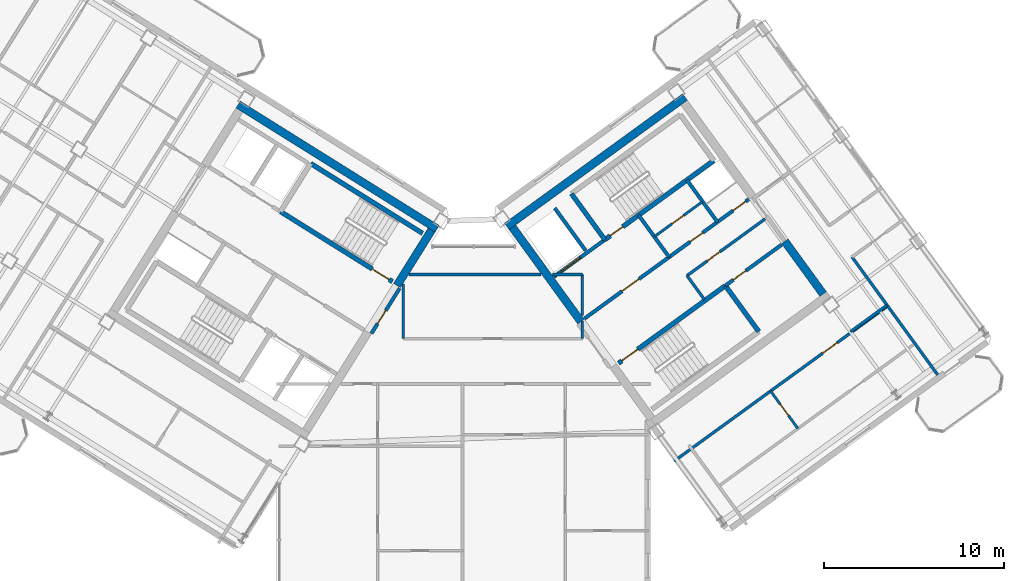
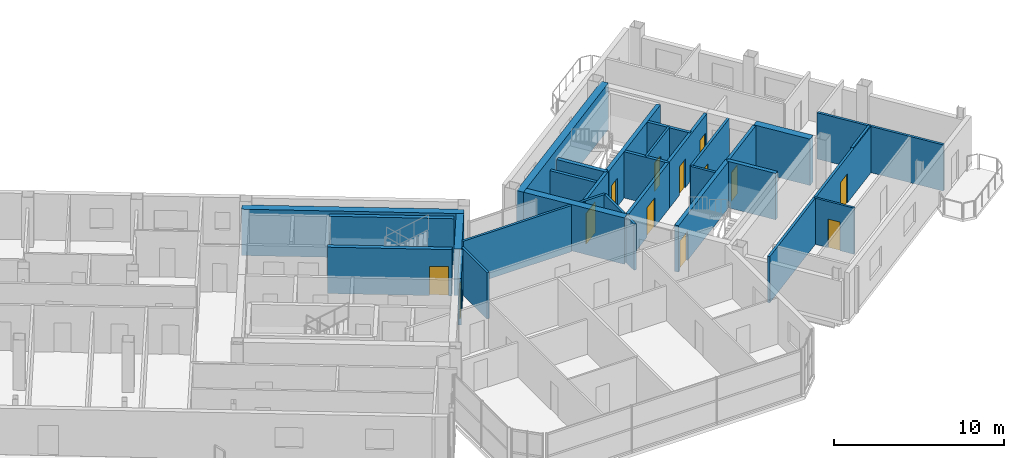
# One storey, part 19 of 25: 31 walls, 13 doors, 13 openings.
"""IFC4 building model written with IfcOpenShell, lengths in metres."""

from ifc_helpers import new_model, si_unit, direction, frame, frame_2d, origin, place, context, subcontext, project, spatial, rectangle, extrude, source, transform, mapped, material, layer, layer_set, type_object, element, fill, save


model = new_model("IFC4")

# Units and contexts
model_context = context("Model", 3, precision=1e-05, world=origin(), true_north=direction((0.0, 1.0)))
body_context = subcontext(model_context, "Body", "Model", "MODEL_VIEW")
ifc_project = project(units=[si_unit("LENGTHUNIT", "METRE"), si_unit("AREAUNIT", "SQUARE_METRE"), si_unit("VOLUMEUNIT", "CUBIC_METRE"), si_unit("PLANEANGLEUNIT", "RADIAN"), si_unit("MASSUNIT", "GRAM", prefix="KILO")], contexts=[model_context])

# Site, building, storey
site_placement = place(None, origin())
site = spatial("IfcSite", under=ifc_project, at=site_placement, CompositionType="ELEMENT")
building_placement = place(site_placement, origin())
building = spatial("IfcBuilding", under=site, at=building_placement, Name="Tlacorven Tower", CompositionType="ELEMENT")
storey_placement = place(building_placement, frame((0.0, 0.0, 251.10009765625)))
storey = spatial("IfcBuildingStorey", under=building, at=storey_placement, Name="L63", CompositionType="ELEMENT", Elevation=251.10009765625)

# Walls
ifc_material_1 = material(Name="Concrete C50/60", Category="concrete")
ifc_layer_1 = layer(ifc_material_1, 0.449951171875)
ifc_layer_set_1 = layer_set([ifc_layer_1], Name="Concrete C50/60")
wall_type_1 = type_object("IfcWallType", Name="WL-COR-450", PredefinedType="SHEAR", material=ifc_layer_set_1)
wall_1_placement = place(storey_placement, frame((40.53076171875, 24.036376953125, 0.0), z_axis=(0.0, 0.0, 1.0), x_axis=(-0.848048787466, 0.529918157905, 0.0)))
element("IfcWall", 1, at=wall_1_placement, inside=storey, type_object=wall_type_1, Name="L63 W core shear wall S1", PredefinedType="SHEAR", context=body_context, shape_type="SweptSolid", body=[
    extrude(rectangle(XDim=13.0400390625, YDim=0.449951171875, at=frame_2d((6.52001953125, 0.0))), origin(), (0.0, 0.0, 1.0), 3.31982421875),
])
wall_2_placement = place(storey_placement, frame((40.220703125, 23.96484375, 0.0), z_axis=(0.0, 0.0, 1.0), x_axis=(-0.529902075036, -0.848058836916, 0.0)))
element("IfcWall", 2, at=wall_2_placement, inside=storey, type_object=wall_type_1, Name="L63 W core end wall E1.1", PredefinedType="SHEAR", context=body_context, shape_type="SweptSolid", body=[
    extrude(rectangle(XDim=3.625, YDim=0.449951171875, at=frame_2d((1.8125, 0.0))), origin(), (0.0, 0.0, 1.0), 3.31982421875),
])
wall_3_placement = place(storey_placement, frame((44.405517578125, 24.171630859375, 0.0), z_axis=(0.0, 0.0, 1.0), x_axis=(0.809012867805, 0.587790931986, 0.0)))
element("IfcWall", 3, at=wall_3_placement, inside=storey, type_object=wall_type_1, Name="L63 E core shear wall S2", PredefinedType="SHEAR", context=body_context, shape_type="SweptSolid", body=[
    extrude(rectangle(XDim=12.239990234375, YDim=0.449951171875, at=frame_2d((6.1201171875, 0.0))), origin(), (0.0, 0.0, 1.0), 3.31982421875),
])
wall_4_placement = place(storey_placement, frame((48.525634765625, 18.883544921875, 0.0), z_axis=(0.0, 0.0, 1.0), x_axis=(-0.587774812919, 0.809024578921, 0.0)))
element("IfcWall", 4, at=wall_4_placement, inside=storey, type_object=wall_type_1, Name="L63 E core end wall E1.2", PredefinedType="SHEAR", context=body_context, shape_type="SweptSolid", body=[
    extrude(rectangle(XDim=6.47509765625, YDim=0.449951171875, at=frame_2d((3.237548828125, 0.0))), origin(), (0.0, 0.0, 1.0), 3.31982421875),
])
wall_5_placement = place(storey_placement, frame((61.987548828125, 20.413330078125, 0.0), z_axis=(0.0, 0.0, 1.0), x_axis=(-0.587819244441, 0.808992296542, 0.0)))
element("IfcWall", 5, at=wall_5_placement, inside=storey, type_object=wall_type_1, Name="L63 E core end wall E2.1", PredefinedType="SHEAR", context=body_context, shape_type="SweptSolid", body=[
    extrude(rectangle(XDim=3.625, YDim=0.449951171875, at=frame_2d((1.8125, 0.0))), origin(), (0.0, 0.0, 1.0), 3.31982421875),
])

# Wall, opening, door
ifc_material_2 = material(Name="Gypsum plasterboard acoustic partition", Category="gypsum")
ifc_layer_2 = layer(ifc_material_2, 0.159912109375)
ifc_layer_set_2 = layer_set([ifc_layer_2], Name="Gypsum plasterboard acoustic partition")
wall_type_2 = type_object("IfcWallType", Name="WL-DEM-160", PredefinedType="PARTITIONING", material=ifc_layer_set_2)
wall_6_placement = place(storey_placement, frame((54.421142578125, 21.436279296875, 0.0), z_axis=(0.0, 0.0, 1.0), x_axis=(0.809013710463, 0.587789772183, 0.0)))
wall_6 = element("IfcWall", 6, at=wall_6_placement, inside=storey, type_object=wall_type_2, Name="L63 partition 28", PredefinedType="PARTITIONING", context=body_context, shape_type="SweptSolid", body=[
    extrude(rectangle(XDim=5.360107421875, YDim=0.159912109375, at=frame_2d((2.68017578125, 0.0))), origin(), (0.0, 0.0, 1.0), 3.309814453125),
])
opening_1_placement = place(wall_6_placement, frame((1.39990234375, 0.0, 0.0)))
opening_1 = element("IfcOpeningElement", 7, at=opening_1_placement, cuts=wall_6, Name="Opening D19", PredefinedType="OPENING", context=body_context, shape_type="SweptSolid", body=[
    extrude(rectangle(XDim=0.860107421875, YDim=2.050048828125, at=frame_2d((0.43017578125, 1.02490234375))), frame((0.0, 0.08984375, 0.0), z_axis=(0.0, -1.0, 0.0), x_axis=(1.0, 0.0, 0.0)), (0.0, 0.0, 1.0), 0.179931640625),
])
ifc_material_3 = material(Name="Fire-rated steel door assembly", Category="steel")
door_type_1 = type_object("IfcDoorType", Name="DR-RSR-FD60-0860", OperationType="NOTDEFINED", PredefinedType="DOOR", material=ifc_material_3)
shared_shape_1 = source(origin(), body_context, "Body", "SweptSolid", [
    extrude(rectangle(XDim=0.860107421875, YDim=2.050048828125, at=frame_2d((0.43017578125, 1.02490234375))), frame((0.0, 0.02490234375, 0.0), z_axis=(0.0, -1.0, 0.0), x_axis=(1.0, 0.0, 0.0)), (0.0, 0.0, 1.0), 0.050048828125),
])
door_1_placement = place(opening_1_placement, origin())
door_1 = element("IfcDoor", 8, at=door_1_placement, inside=storey, type_object=door_type_1, Name="L63 Freed Core Store Door", OperationType="SINGLE_SWING_LEFT", OverallHeight=2.050048828125, OverallWidth=0.860107421875, PredefinedType="DOOR", context=body_context, shape_type="MappedRepresentation", body=[
    mapped(shared_shape_1, transform((0.0, 0.0, 0.0), scale=1.0)),
])
fill(opening_1, door_1)

# Walls
wall_7_placement = place(storey_placement, frame((55.390869140625, 20.1015625, 0.0), z_axis=(0.0, 0.0, 1.0), x_axis=(-0.58778447739, 0.809017557374, 0.0)))
element("IfcWall", 9, at=wall_7_placement, inside=storey, type_object=wall_type_2, Name="L63 partition 29", PredefinedType="PARTITIONING", context=body_context, shape_type="SweptSolid", body=[
    extrude(rectangle(XDim=1.64990234375, YDim=0.159912109375, at=frame_2d((0.824951171875, 0.0))), origin(), (0.0, 0.0, 1.0), 3.309814453125),
])
wall_8_placement = place(storey_placement, frame((38.64990234375, 17.929931640625, 0.0), z_axis=(0.0, 0.0, 1.0), x_axis=(0.0, 1.0, 0.0)))
element("IfcWall", 10, at=wall_8_placement, inside=storey, type_object=wall_type_2, Name="L63 partition 64", PredefinedType="PARTITIONING", context=body_context, shape_type="SweptSolid", body=[
    extrude(rectangle(XDim=3.045654296875, YDim=0.159912109375, at=frame_2d((1.52294921875, 0.0))), origin(), (0.0, 0.0, 1.0), 3.309814453125),
])
wall_9_placement = place(storey_placement, frame((48.60009765625, 17.929931640625, 0.0), z_axis=(0.0, 0.0, 1.0), x_axis=(0.0, 1.0, 0.0)))
element("IfcWall", 11, at=wall_9_placement, inside=storey, type_object=wall_type_2, Name="L63 partition 65", PredefinedType="PARTITIONING", context=body_context, shape_type="SweptSolid", body=[
    extrude(rectangle(XDim=0.99267578125, YDim=0.159912109375, at=frame_2d((0.496337890625, 0.0))), origin(), (0.0, 0.0, 1.0), 3.309814453125),
])
wall_10_placement = place(storey_placement, frame((48.60009765625, 19.2099609375, 0.0), z_axis=(0.0, 0.0, 1.0), x_axis=(0.0, 1.0, 0.0)))
element("IfcWall", 12, at=wall_10_placement, inside=storey, type_object=wall_type_2, Name="L63 partition 65", PredefinedType="PARTITIONING", context=body_context, shape_type="SweptSolid", body=[
    extrude(rectangle(XDim=2.2900390625, YDim=0.159912109375, at=frame_2d((1.14501953125, 0.0))), origin(), (0.0, 0.0, 1.0), 3.309814453125),
])
wall_11_placement = place(storey_placement, frame((38.9775390625, 21.5, 0.0), z_axis=(0.0, 0.0, 1.0), x_axis=(1.0, 0.0, 0.0)))
element("IfcWall", 13, at=wall_11_placement, inside=storey, type_object=wall_type_2, Name="L63 partition 66", PredefinedType="PARTITIONING", context=body_context, shape_type="SweptSolid", body=[
    extrude(rectangle(XDim=7.335693359375, YDim=0.159912109375, at=frame_2d((3.66796875, 0.0))), origin(), (0.0, 0.0, 1.0), 3.309814453125),
])
wall_12_placement = place(storey_placement, frame((46.936279296875, 21.5, 0.0), z_axis=(0.0, 0.0, 1.0), x_axis=(1.0, 0.0, 0.0)))
element("IfcWall", 14, at=wall_12_placement, inside=storey, type_object=wall_type_2, Name="L63 partition 66", PredefinedType="PARTITIONING", context=body_context, shape_type="SweptSolid", body=[
    extrude(rectangle(XDim=1.663818359375, YDim=0.159912109375, at=frame_2d((0.83203125, 0.0))), origin(), (0.0, 0.0, 1.0), 3.309814453125),
])
wall_13_placement = place(storey_placement, frame((63.5068359375, 18.322021484375, 0.0), z_axis=(0.0, 0.0, 1.0), x_axis=(0.809034604122, 0.587761013791, 0.0)))
element("IfcWall", 15, at=wall_13_placement, inside=storey, type_object=wall_type_2, Name="L63 partition 78", PredefinedType="PARTITIONING", context=body_context, shape_type="SweptSolid", body=[
    extrude(rectangle(XDim=2.510009765625, YDim=0.159912109375, at=frame_2d((1.2548828125, 0.0))), origin(), (0.0, 0.0, 1.0), 3.309814453125),
])
wall_14_placement = place(storey_placement, frame((68.35302734375, 15.922119140625, 0.0), z_axis=(0.0, 0.0, 1.0), x_axis=(-0.58776839458, 0.809029241952, 0.0)))
element("IfcWall", 16, at=wall_14_placement, inside=storey, type_object=wall_type_2, Name="L63 partition 80", PredefinedType="PARTITIONING", context=body_context, shape_type="SweptSolid", body=[
    extrude(rectangle(XDim=8.10009765625, YDim=0.159912109375, at=frame_2d((4.050048828125, 0.0))), origin(), (0.0, 0.0, 1.0), 3.309814453125),
])

# Wall, opening, door
wall_15_placement = place(storey_placement, frame((53.70458984375, 11.1259765625, 0.0), z_axis=(0.0, 0.0, 1.0), x_axis=(0.809014504436, 0.587788679384, 0.0)))
wall_15 = element("IfcWall", 17, at=wall_15_placement, inside=storey, type_object=wall_type_2, Name="L63 partition 86", PredefinedType="PARTITIONING", context=body_context, shape_type="SweptSolid", body=[
    extrude(rectangle(XDim=14.669921875, YDim=0.159912109375, at=frame_2d((7.3349609375, 0.0))), origin(), (0.0, 0.0, 1.0), 3.309814453125),
])
opening_2_placement = place(wall_15_placement, frame((10.199951171875, 0.0, 0.0)))
opening_2 = element("IfcOpeningElement", 18, at=opening_2_placement, cuts=wall_15, Name="Opening D11", PredefinedType="OPENING", context=body_context, shape_type="SweptSolid", body=[
    extrude(rectangle(XDim=1.0, YDim=2.10009765625, at=frame_2d((0.5, 1.050048828125))), frame((0.0, 0.08984375, 0.0), z_axis=(0.0, -1.0, 0.0), x_axis=(1.0, 0.0, 0.0)), (0.0, 0.0, 1.0), 0.179931640625),
])
door_type_2 = type_object("IfcDoorType", Name="DR-FLT-FD60-1000", OperationType="NOTDEFINED", PredefinedType="DOOR", material=ifc_material_3)
shared_shape_2 = source(origin(), body_context, "Body", "SweptSolid", [
    extrude(rectangle(XDim=1.0, YDim=2.10009765625, at=frame_2d((0.5, 1.050048828125))), frame((0.0, 0.02490234375, 0.0), z_axis=(0.0, -1.0, 0.0), x_axis=(1.0, 0.0, 0.0)), (0.0, 0.0, 1.0), 0.050048828125),
])
door_2_placement = place(opening_2_placement, origin())
door_2 = element("IfcDoor", 19, at=door_2_placement, inside=storey, type_object=door_type_2, Name="L63 door 058", OperationType="SINGLE_SWING_RIGHT", OverallHeight=2.10009765625, OverallWidth=1.0, PredefinedType="DOOR", context=body_context, shape_type="MappedRepresentation", body=[
    mapped(shared_shape_2, transform((0.0, 0.0, 0.0), scale=1.0)),
])
fill(opening_2, door_2)

ifc_material_4 = material(Name="Moisture-resistant gypsum plumbing wall", Category="gypsum")
ifc_layer_3 = layer(ifc_material_4, 0.139892578125)
ifc_layer_set_3 = layer_set([ifc_layer_3], Name="Moisture-resistant gypsum plumbing wall")
wall_type_3 = type_object("IfcWallType", Name="WL-PLM-140", PredefinedType="PLUMBINGWALL", material=ifc_layer_set_3)
wall_16_placement = place(storey_placement, frame((52.617919921875, 23.612060546875, 0.0), z_axis=(0.0, 0.0, 1.0), x_axis=(0.809009587469, 0.587795446889, 0.0)))
wall_16 = element("IfcWall", 20, at=wall_16_placement, inside=storey, type_object=wall_type_3, Name="L63 partition 34", PredefinedType="PLUMBINGWALL", context=body_context, shape_type="SweptSolid", body=[
    extrude(rectangle(XDim=3.280029296875, YDim=0.139892578125, at=frame_2d((1.64013671875, 0.0))), origin(), (0.0, 0.0, 1.0), 3.309814453125),
])
opening_3_placement = place(wall_16_placement, frame((1.199951171875, 0.0, 0.0)))
opening_3 = element("IfcOpeningElement", 21, at=opening_3_placement, cuts=wall_16, Name="Opening D22", PredefinedType="OPENING", context=body_context, shape_type="SweptSolid", body=[
    extrude(rectangle(XDim=0.780029296875, YDim=2.050048828125, at=frame_2d((0.39013671875, 1.02490234375))), frame((0.0, 0.080078125, 0.0), z_axis=(0.0, -1.0, 0.0), x_axis=(1.0, 0.0, 0.0)), (0.0, 0.0, 1.0), 0.159912109375),
])
ifc_material_5 = material(Name="Powder-coated aluminium and timber door", Category="wood")
door_type_3 = type_object("IfcDoorType", Name="DR-INT-WET-0780", OperationType="NOTDEFINED", PredefinedType="DOOR", material=ifc_material_5)
shared_shape_3 = source(origin(), body_context, "Body", "SweptSolid", [
    extrude(rectangle(XDim=0.780029296875, YDim=2.050048828125, at=frame_2d((0.39013671875, 1.02490234375))), frame((0.0, 0.02490234375, 0.0), z_axis=(0.0, -1.0, 0.0), x_axis=(1.0, 0.0, 0.0)), (0.0, 0.0, 1.0), 0.050048828125),
])
door_3_placement = place(opening_3_placement, origin())
door_3 = element("IfcDoor", 22, at=door_3_placement, inside=storey, type_object=door_type_3, Name="L63 door 018", OperationType="SINGLE_SWING_LEFT", OverallHeight=2.050048828125, OverallWidth=0.780029296875, PredefinedType="DOOR", context=body_context, shape_type="MappedRepresentation", body=[
    mapped(shared_shape_3, transform((0.0, 0.0, 0.0), scale=1.0)),
])
fill(opening_3, door_3)

wall_17_placement = place(storey_placement, frame((60.584716796875, 12.935791015625, 0.0), z_axis=(0.0, 0.0, 1.0), x_axis=(-0.587772116736, 0.809026537752, 0.0)))
wall_17 = element("IfcWall", 23, at=wall_17_placement, inside=storey, type_object=wall_type_3, Name="L63 partition 89", PredefinedType="PLUMBINGWALL", context=body_context, shape_type="SweptSolid", body=[
    extrude(rectangle(XDim=2.579833984375, YDim=0.139892578125, at=frame_2d((1.2900390625, 0.0))), origin(), (0.0, 0.0, 1.0), 3.309814453125),
])
opening_4_placement = place(wall_17_placement, frame((0.89990234375, 0.0, 0.0)))
opening_4 = element("IfcOpeningElement", 24, at=opening_4_placement, cuts=wall_17, Name="Opening D22", PredefinedType="OPENING", context=body_context, shape_type="SweptSolid", body=[
    extrude(rectangle(XDim=0.780029296875, YDim=2.050048828125, at=frame_2d((0.39013671875, 1.02490234375))), frame((0.0, 0.080078125, 0.0), z_axis=(0.0, -1.0, 0.0), x_axis=(1.0, 0.0, 0.0)), (0.0, 0.0, 1.0), 0.159912109375),
])
door_4_placement = place(opening_4_placement, origin())
door_4 = element("IfcDoor", 25, at=door_4_placement, inside=storey, type_object=door_type_3, Name="L63 door 060", OperationType="SINGLE_SWING_RIGHT", OverallHeight=2.050048828125, OverallWidth=0.780029296875, PredefinedType="DOOR", context=body_context, shape_type="MappedRepresentation", body=[
    mapped(shared_shape_3, transform((0.0, 0.0, 0.0), scale=1.0)),
])
fill(opening_4, door_4)

ifc_material_6 = material(Name="Concrete C40/50", Category="concrete")
ifc_layer_4 = layer(ifc_material_6, 0.199951171875)
ifc_layer_set_4 = layer_set([ifc_layer_4], Name="Concrete C40/50")
wall_type_4 = type_object("IfcWallType", Name="WL-SHF-200", PredefinedType="STANDARD", material=ifc_layer_set_4)
wall_18_placement = place(storey_placement, frame((47.02490234375, 21.3779296875, 0.0), z_axis=(0.0, 0.0, 1.0), x_axis=(0.809052869724, 0.587735870941, 0.0)))
wall_18 = element("IfcWall", 26, at=wall_18_placement, inside=storey, type_object=wall_type_4, Name="L63 Core E Firefighting Lift Shaft Front Wall", PredefinedType="STANDARD", context=body_context, shape_type="SweptSolid", body=[
    extrude(rectangle(XDim=3.498046875, YDim=0.199951171875, at=frame_2d((1.7490234375, 0.0))), origin(), (0.0, 0.0, 1.0), 3.309814453125),
])
opening_5_placement = place(wall_18_placement, frame((0.508056640625, 0.0, 0.0)))
opening_5 = element("IfcOpeningElement", 27, at=opening_5_placement, cuts=wall_18, Name="Opening LD03", PredefinedType="OPENING", context=body_context, shape_type="SweptSolid", body=[
    extrude(rectangle(XDim=1.300048828125, YDim=2.199951171875, at=frame_2d((0.64990234375, 1.10009765625))), frame((0.0, 0.10986328125, 0.0), z_axis=(0.0, -1.0, 0.0), x_axis=(1.0, 0.0, 0.0)), (0.0, 0.0, 1.0), 0.219970703125),
])
door_type_4 = type_object("IfcDoorType", Name="DR-LFT-SLID-1300", OperationType="DOUBLE_DOOR_SLIDING", PredefinedType="DOOR", material=ifc_material_3)
shared_shape_4 = source(origin(), body_context, "Body", "SweptSolid", [
    extrude(rectangle(XDim=1.300048828125, YDim=2.199951171875, at=frame_2d((0.64990234375, 1.10009765625))), frame((0.0, 0.02490234375, 0.0), z_axis=(0.0, -1.0, 0.0), x_axis=(1.0, 0.0, 0.0)), (0.0, 0.0, 1.0), 0.050048828125),
])
door_5_placement = place(opening_5_placement, origin())
door_5 = element("IfcDoor", 28, at=door_5_placement, inside=storey, type_object=door_type_4, Name="L63 Lift FFL-E1 Sliding Landing Door", OperationType="DOUBLE_DOOR_SLIDING", OverallHeight=2.199951171875, OverallWidth=1.300048828125, PredefinedType="DOOR", context=body_context, shape_type="MappedRepresentation", body=[
    mapped(shared_shape_4, transform((0.0, 0.0, 0.0), scale=1.0)),
])
fill(opening_5, door_5)

wall_19_placement = place(storey_placement, frame((48.7177734375, 19.0478515625, 0.0), z_axis=(0.0, 0.0, 1.0), x_axis=(0.809017261719, 0.587784884325, 0.0)))
wall_19 = element("IfcWall", 29, at=wall_19_placement, inside=storey, type_object=wall_type_4, Name="L63 Core E Smoke Lobby Wall", PredefinedType="STANDARD", context=body_context, shape_type="SweptSolid", body=[
    extrude(rectangle(XDim=5.81787109375, YDim=0.199951171875, at=frame_2d((2.908935546875, 0.0))), origin(), (0.0, 0.0, 1.0), 3.309814453125),
])
opening_6_placement = place(wall_19_placement, frame((2.597900390625, 0.0, 0.0)))
opening_6 = element("IfcOpeningElement", 30, at=opening_6_placement, cuts=wall_19, Name="Opening D09", PredefinedType="OPENING", context=body_context, shape_type="SweptSolid", body=[
    extrude(rectangle(XDim=1.14990234375, YDim=2.10009765625, at=frame_2d((0.574951171875, 1.050048828125))), frame((0.0, 0.10986328125, 0.0), z_axis=(0.0, -1.0, 0.0), x_axis=(1.0, 0.0, 0.0)), (0.0, 0.0, 1.0), 0.219970703125),
])
door_type_5 = type_object("IfcDoorType", Name="DR-FFL-FD60-1150", OperationType="NOTDEFINED", PredefinedType="DOOR", material=ifc_material_3)
shared_shape_5 = source(origin(), body_context, "Body", "SweptSolid", [
    extrude(rectangle(XDim=1.14990234375, YDim=2.10009765625, at=frame_2d((0.574951171875, 1.050048828125))), frame((0.0, 0.02490234375, 0.0), z_axis=(0.0, -1.0, 0.0), x_axis=(1.0, 0.0, 0.0)), (0.0, 0.0, 1.0), 0.050048828125),
])
door_6_placement = place(opening_6_placement, origin())
door_6 = element("IfcDoor", 31, at=door_6_placement, inside=storey, type_object=door_type_5, Name="L63 Firefighting Lobby E Fire Door", OperationType="SINGLE_SWING_LEFT", OverallHeight=2.10009765625, OverallWidth=1.14990234375, PredefinedType="DOOR", context=body_context, shape_type="MappedRepresentation", body=[
    mapped(shared_shape_5, transform((0.0, 0.0, 0.0), scale=1.0)),
])
fill(opening_6, door_6)

wall_20_placement = place(storey_placement, frame((56.552978515625, 20.884033203125, 0.0), z_axis=(0.0, 0.0, 1.0), x_axis=(0.809041669066, 0.587751288995, 0.0)))
wall_20 = element("IfcWall", 32, at=wall_20_placement, inside=storey, type_object=wall_type_4, Name="L63 Core E South Lift Shaft Wall", PredefinedType="STANDARD", context=body_context, shape_type="SweptSolid", body=[
    extrude(rectangle(XDim=3.867919921875, YDim=0.199951171875, at=frame_2d((1.93408203125, 0.0))), origin(), (0.0, 0.0, 1.0), 3.309814453125),
])
opening_7_placement = place(wall_20_placement, frame((0.550048828125, 0.0, 0.0)))
opening_7 = element("IfcOpeningElement", 33, at=opening_7_placement, cuts=wall_20, Name="Opening D19", PredefinedType="OPENING", context=body_context, shape_type="SweptSolid", body=[
    extrude(rectangle(XDim=0.860107421875, YDim=2.050048828125, at=frame_2d((0.43017578125, 1.02490234375))), frame((0.0, 0.10986328125, 0.0), z_axis=(0.0, -1.0, 0.0), x_axis=(1.0, 0.0, 0.0)), (0.0, 0.0, 1.0), 0.219970703125),
])
door_7_placement = place(opening_7_placement, origin())
door_7 = element("IfcDoor", 34, at=door_7_placement, inside=storey, type_object=door_type_1, Name="L63 East Telecoms Riser Access Door", OperationType="SINGLE_SWING_RIGHT", OverallHeight=2.050048828125, OverallWidth=0.860107421875, PredefinedType="DOOR", context=body_context, shape_type="MappedRepresentation", body=[
    mapped(shared_shape_1, transform((0.0, 0.0, 0.0), scale=1.0)),
])
fill(opening_7, door_7)

# Walls
wall_21_placement = place(storey_placement, frame((48.78564453125, 22.830078125, 0.0), z_axis=(0.0, 0.0, 1.0), x_axis=(-0.587783856777, 0.809018008275, 0.0)))
element("IfcWall", 35, at=wall_21_placement, inside=storey, type_object=wall_type_4, Name="L63 partition 30", PredefinedType="STANDARD", context=body_context, shape_type="SweptSolid", body=[
    extrude(rectangle(XDim=2.919921875, YDim=0.199951171875, at=frame_2d((1.4599609375, 0.0))), origin(), (0.0, 0.0, 1.0), 3.309814453125),
])
wall_22_placement = place(storey_placement, frame((53.424560546875, 22.467529296875, 0.0), z_axis=(0.0, 0.0, 1.0), x_axis=(-0.5877230039, 0.809062216821, 0.0)))
element("IfcWall", 36, at=wall_22_placement, inside=storey, type_object=wall_type_4, Name="L63 partition 31", PredefinedType="STANDARD", context=body_context, shape_type="SweptSolid", body=[
    extrude(rectangle(XDim=2.8798828125, YDim=0.199951171875, at=frame_2d((1.43994140625, 0.0))), origin(), (0.0, 0.0, 1.0), 3.309814453125),
])
wall_23_placement = place(storey_placement, frame((56.110595703125, 24.4189453125, 0.0), z_axis=(0.0, 0.0, 1.0), x_axis=(-0.58777848983, 0.809021907548, 0.0)))
element("IfcWall", 37, at=wall_23_placement, inside=storey, type_object=wall_type_4, Name="L63 partition 32", PredefinedType="STANDARD", context=body_context, shape_type="SweptSolid", body=[
    extrude(rectangle(XDim=2.880126953125, YDim=0.199951171875, at=frame_2d((1.43994140625, 0.0))), origin(), (0.0, 0.0, 1.0), 3.309814453125),
])

# Wall, openings, doors
wall_24_placement = place(storey_placement, frame((53.424560546875, 22.467529296875, 0.0), z_axis=(0.0, 0.0, 1.0), x_axis=(0.809015945709, 0.587786695655, 0.0)))
wall_24 = element("IfcWall", 38, at=wall_24_placement, inside=storey, type_object=wall_type_4, Name="L63 Core E North Service Wall", PredefinedType="STANDARD", context=body_context, shape_type="SweptSolid", body=[
    extrude(rectangle(XDim=5.46826171875, YDim=0.199951171875, at=frame_2d((2.734130859375, 0.0))), origin(), (0.0, 0.0, 1.0), 3.309814453125),
])
opening_8_placement = place(wall_24_placement, frame((4.39990234375, 0.0, 0.0)))
opening_8 = element("IfcOpeningElement", 39, at=opening_8_placement, cuts=wall_24, Name="Opening D19", PredefinedType="OPENING", context=body_context, shape_type="SweptSolid", body=[
    extrude(rectangle(XDim=0.860107421875, YDim=2.050048828125, at=frame_2d((0.43017578125, 1.02490234375))), frame((0.0, 0.10986328125, 0.0), z_axis=(0.0, -1.0, 0.0), x_axis=(1.0, 0.0, 0.0)), (0.0, 0.0, 1.0), 0.219970703125),
])
opening_9_placement = place(wall_24_placement, frame((1.449951171875, 0.0, 0.0)))
opening_9 = element("IfcOpeningElement", 40, at=opening_9_placement, cuts=wall_24, Name="Opening D19", PredefinedType="OPENING", context=body_context, shape_type="SweptSolid", body=[
    extrude(rectangle(XDim=0.860107421875, YDim=2.050048828125, at=frame_2d((0.43017578125, 1.02490234375))), frame((0.0, 0.10986328125, 0.0), z_axis=(0.0, -1.0, 0.0), x_axis=(1.0, 0.0, 0.0)), (0.0, 0.0, 1.0), 0.219970703125),
])
door_8_placement = place(opening_8_placement, frame((0.860107421875, 0.0, 0.0), z_axis=(0.0, 0.0, 1.0), x_axis=(-1.0, 0.0, 0.0)))
door_8 = element("IfcDoor", 41, at=door_8_placement, inside=storey, type_object=door_type_1, Name="L63 Electrical Riser Access Door E", OperationType="SINGLE_SWING_LEFT", OverallHeight=2.050048828125, OverallWidth=0.860107421875, PredefinedType="DOOR", context=body_context, shape_type="MappedRepresentation", body=[
    mapped(shared_shape_1, transform((0.0, 0.0, 0.0), scale=1.0)),
])
fill(opening_8, door_8)
door_9_placement = place(opening_9_placement, frame((0.860107421875, 0.0, 0.0), z_axis=(0.0, 0.0, 1.0), x_axis=(-1.0, 0.0, 0.0)))
door_9 = element("IfcDoor", 42, at=door_9_placement, inside=storey, type_object=door_type_1, Name="L63 Cleaner Store Access Door E", OperationType="SINGLE_SWING_RIGHT", OverallHeight=2.050048828125, OverallWidth=0.860107421875, PredefinedType="DOOR", context=body_context, shape_type="MappedRepresentation", body=[
    mapped(shared_shape_1, transform((0.0, 0.0, 0.0), scale=1.0)),
])
fill(opening_9, door_9)

# Wall, opening, door
wall_25_placement = place(storey_placement, frame((38.451416015625, 20.737060546875, 0.0), z_axis=(0.0, 0.0, 1.0), x_axis=(-0.529924799939, -0.848044637038, 0.0)))
wall_25 = element("IfcWall", 43, at=wall_25_placement, inside=storey, type_object=wall_type_4, Name="L63 partition 61", PredefinedType="STANDARD", context=body_context, shape_type="SweptSolid", body=[
    extrude(rectangle(XDim=2.9599609375, YDim=0.199951171875, at=frame_2d((1.47998046875, 0.0))), origin(), (0.0, 0.0, 1.0), 3.309814453125),
])
opening_10_placement = place(wall_25_placement, frame((1.4599609375, 0.0, 0.0)))
opening_10 = element("IfcOpeningElement", 44, at=opening_10_placement, cuts=wall_25, Name="Opening D19", PredefinedType="OPENING", context=body_context, shape_type="SweptSolid", body=[
    extrude(rectangle(XDim=0.860107421875, YDim=2.050048828125, at=frame_2d((0.43017578125, 1.02490234375))), frame((0.0, 0.10986328125, 0.0), z_axis=(0.0, -1.0, 0.0), x_axis=(1.0, 0.0, 0.0)), (0.0, 0.0, 1.0), 0.219970703125),
])
door_10_placement = place(opening_10_placement, frame((0.860107421875, 0.0, 0.0), z_axis=(0.0, 0.0, 1.0), x_axis=(-1.0, 0.0, 0.0)))
door_10 = element("IfcDoor", 45, at=door_10_placement, inside=storey, type_object=door_type_1, Name="L63 door 041", OperationType="SINGLE_SWING_LEFT", OverallHeight=2.050048828125, OverallWidth=0.860107421875, PredefinedType="DOOR", context=body_context, shape_type="MappedRepresentation", body=[
    mapped(shared_shape_1, transform((0.0, 0.0, 0.0), scale=1.0)),
])
fill(opening_10, door_10)

# Wall
ifc_layer_5 = layer(ifc_material_1, 0.260009765625)
ifc_layer_set_5 = layer_set([ifc_layer_5], Name="Concrete C50/60")
wall_type_5 = type_object("IfcWallType", Name="WL-STW-260", PredefinedType="SHEAR", material=ifc_layer_set_5)
wall_26_placement = place(storey_placement, frame((39.720947265625, 23.787841796875, 0.0), z_axis=(0.0, 0.0, 1.0), x_axis=(-0.848054434086, 0.529909121291, 0.0)))
element("IfcWall", 46, at=wall_26_placement, inside=storey, type_object=wall_type_5, Name="L63 Stair W2 Far Shear Wall", PredefinedType="SHEAR", context=body_context, shape_type="SweptSolid", body=[
    extrude(rectangle(XDim=7.330078125, YDim=0.260009765625, at=frame_2d((3.6650390625, 0.0))), origin(), (0.0, 0.0, 1.0), 3.31982421875),
])

# Wall, opening, door
wall_27_placement = place(storey_placement, frame((38.04638671875, 21.10791015625, 0.0), z_axis=(0.0, 0.0, 1.0), x_axis=(-0.848054434086, 0.529909121291, 0.0)))
wall_27 = element("IfcWall", 47, at=wall_27_placement, inside=storey, type_object=wall_type_5, Name="L63 Stair W2 Lobby Shear Wall", PredefinedType="SHEAR", context=body_context, shape_type="SweptSolid", body=[
    extrude(rectangle(XDim=7.330078125, YDim=0.260009765625, at=frame_2d((3.6650390625, 0.0))), origin(), (0.0, 0.0, 1.0), 3.31982421875),
])
opening_11_placement = place(wall_27_placement, frame((0.219970703125, 0.0, 0.0)))
opening_11 = element("IfcOpeningElement", 48, at=opening_11_placement, cuts=wall_27, Name="Opening D07", PredefinedType="OPENING", context=body_context, shape_type="SweptSolid", body=[
    extrude(rectangle(XDim=1.10009765625, YDim=2.10009765625, at=frame_2d((0.550048828125, 1.050048828125))), frame((0.0, 0.14013671875, 0.0), z_axis=(0.0, -1.0, 0.0), x_axis=(1.0, 0.0, 0.0)), (0.0, 0.0, 1.0), 0.280029296875),
])
door_type_6 = type_object("IfcDoorType", Name="DR-STR-FD90-1100", OperationType="NOTDEFINED", PredefinedType="DOOR", material=ifc_material_3)
shared_shape_6 = source(origin(), body_context, "Body", "SweptSolid", [
    extrude(rectangle(XDim=1.10009765625, YDim=2.10009765625, at=frame_2d((0.550048828125, 1.050048828125))), frame((0.0, 0.02490234375, 0.0), z_axis=(0.0, -1.0, 0.0), x_axis=(1.0, 0.0, 0.0)), (0.0, 0.0, 1.0), 0.050048828125),
])
door_11_placement = place(opening_11_placement, origin())
door_11 = element("IfcDoor", 49, at=door_11_placement, inside=storey, type_object=door_type_6, Name="L63 Exit Stair W2 Fire Door", OperationType="SINGLE_SWING_RIGHT", OverallHeight=2.10009765625, OverallWidth=1.10009765625, PredefinedType="DOOR", context=body_context, shape_type="MappedRepresentation", body=[
    mapped(shared_shape_6, transform((0.0, 0.0, 0.0), scale=1.0)),
])
fill(opening_11, door_11)

wall_28_placement = place(storey_placement, frame((49.863037109375, 23.439697265625, 0.0), z_axis=(0.0, 0.0, 1.0), x_axis=(0.809003474932, 0.587803859759, 0.0)))
wall_28 = element("IfcWall", 50, at=wall_28_placement, inside=storey, type_object=wall_type_5, Name="L63 Stair E1 Lobby Shear Wall", PredefinedType="SHEAR", context=body_context, shape_type="SweptSolid", body=[
    extrude(rectangle(XDim=7.4599609375, YDim=0.260009765625, at=frame_2d((3.72998046875, 0.0))), origin(), (0.0, 0.0, 1.0), 3.31982421875),
])
opening_12_placement = place(wall_28_placement, frame((0.360107421875, 0.0, 0.0)))
opening_12 = element("IfcOpeningElement", 51, at=opening_12_placement, cuts=wall_28, Name="Opening D19", PredefinedType="OPENING", context=body_context, shape_type="SweptSolid", body=[
    extrude(rectangle(XDim=0.860107421875, YDim=2.050048828125, at=frame_2d((0.43017578125, 1.02490234375))), frame((0.0, 0.14013671875, 0.0), z_axis=(0.0, -1.0, 0.0), x_axis=(1.0, 0.0, 0.0)), (0.0, 0.0, 1.0), 0.280029296875),
])
door_12_placement = place(opening_12_placement, frame((0.860107421875, 0.0, 0.0), z_axis=(0.0, 0.0, 1.0), x_axis=(-1.0, 0.0, 0.0)))
door_12 = element("IfcDoor", 52, at=door_12_placement, inside=storey, type_object=door_type_1, Name="L63 Exit Stair E1 Fire Door", OperationType="SINGLE_SWING_LEFT", OverallHeight=2.050048828125, OverallWidth=0.860107421875, PredefinedType="DOOR", context=body_context, shape_type="MappedRepresentation", body=[
    mapped(shared_shape_1, transform((0.0, 0.0, 0.0), scale=1.0)),
])
fill(opening_12, door_12)

# Wall
wall_29_placement = place(storey_placement, frame((49.85498046875, 23.433837890625, 0.0), z_axis=(0.0, 0.0, 1.0), x_axis=(-0.58776738483, 0.809029975545, 0.0)))
element("IfcWall", 53, at=wall_29_placement, inside=storey, type_object=wall_type_5, Name="L63 Stair E1 West Shear Wall", PredefinedType="SHEAR", context=body_context, shape_type="SweptSolid", body=[
    extrude(rectangle(XDim=3.16015625, YDim=0.260009765625, at=frame_2d((1.580078125, 0.0))), origin(), (0.0, 0.0, 1.0), 3.31982421875),
])

# Wall, opening, door
wall_30_placement = place(storey_placement, frame((50.61474609375, 16.569580078125, 0.0), z_axis=(0.0, 0.0, 1.0), x_axis=(0.809028366311, 0.587769599847, 0.0)))
wall_30 = element("IfcWall", 54, at=wall_30_placement, inside=storey, type_object=wall_type_5, Name="L63 Stair E2 Lobby Shear Wall", PredefinedType="SHEAR", context=body_context, shape_type="SweptSolid", body=[
    extrude(rectangle(XDim=7.330078125, YDim=0.260009765625, at=frame_2d((3.6650390625, 0.0))), origin(), (0.0, 0.0, 1.0), 3.31982421875),
])
opening_13_placement = place(wall_30_placement, frame((0.219970703125, 0.0, 0.0)))
opening_13 = element("IfcOpeningElement", 55, at=opening_13_placement, cuts=wall_30, Name="Opening D07", PredefinedType="OPENING", context=body_context, shape_type="SweptSolid", body=[
    extrude(rectangle(XDim=1.10009765625, YDim=2.10009765625, at=frame_2d((0.550048828125, 1.050048828125))), frame((0.0, 0.14013671875, 0.0), z_axis=(0.0, -1.0, 0.0), x_axis=(1.0, 0.0, 0.0)), (0.0, 0.0, 1.0), 0.280029296875),
])
door_13_placement = place(opening_13_placement, origin())
door_13 = element("IfcDoor", 56, at=door_13_placement, inside=storey, type_object=door_type_6, Name="L63 Exit Stair E2 Fire Door", OperationType="SINGLE_SWING_RIGHT", OverallHeight=2.10009765625, OverallWidth=1.10009765625, PredefinedType="DOOR", context=body_context, shape_type="MappedRepresentation", body=[
    mapped(shared_shape_6, transform((0.0, 0.0, 0.0), scale=1.0)),
])
fill(opening_13, door_13)

# Wall
wall_31_placement = place(storey_placement, frame((58.410400390625, 18.327392578125, 0.0), z_axis=(0.0, 0.0, 1.0), x_axis=(-0.58776738483, 0.809029975545, 0.0)))
element("IfcWall", 57, at=wall_31_placement, inside=storey, type_object=wall_type_5, Name="L63 Stair E2 East Shear Wall", PredefinedType="SHEAR", context=body_context, shape_type="SweptSolid", body=[
    extrude(rectangle(XDim=3.16015625, YDim=0.260009765625, at=frame_2d((1.580078125, 0.0))), origin(), (0.0, 0.0, 1.0), 3.31982421875),
])

save(model, "model.ifc")
